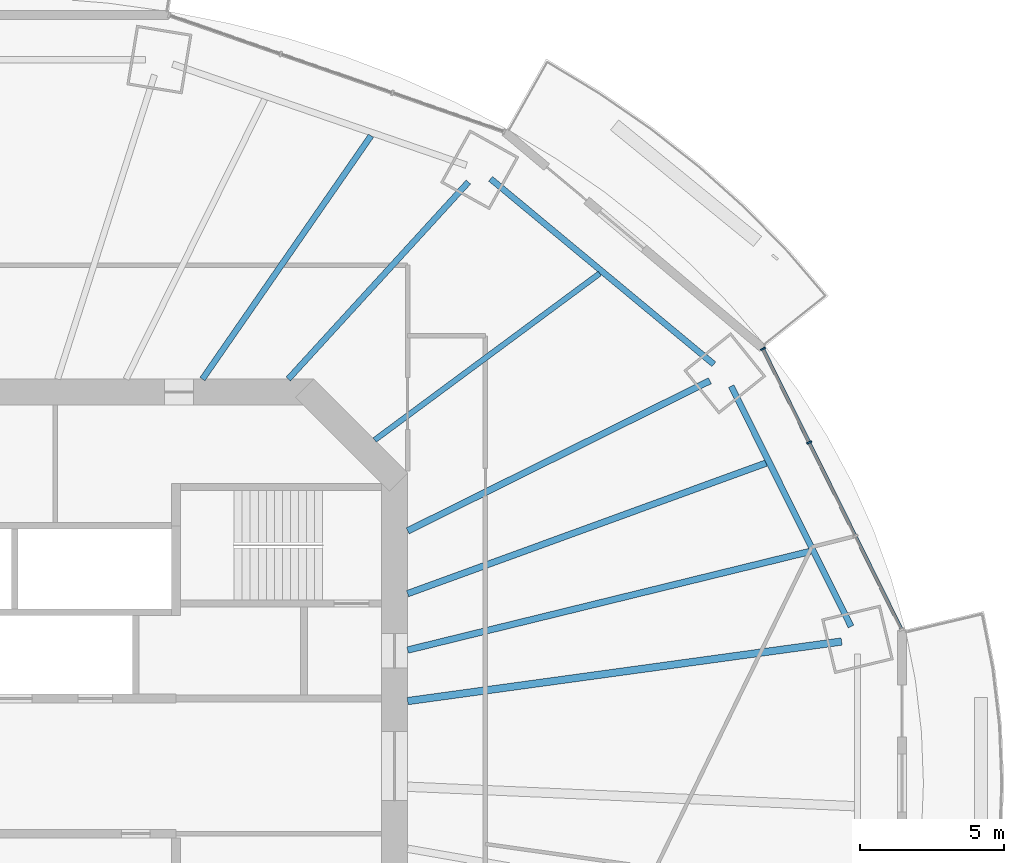
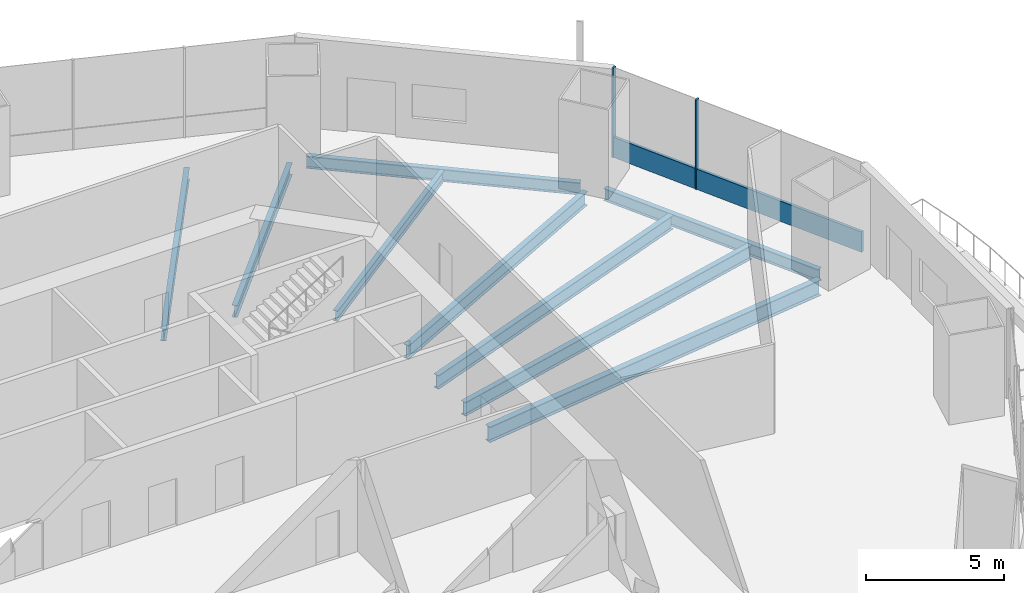
# One storey, part 7 of 20: 9 beams, 3 members, 1 element without a shape of its own.
"""IFC4 building model written with IfcOpenShell, lengths in metres."""

from ifc_helpers import new_model, si_unit, direction, frame, origin, origin_2d, place, context, subcontext, project, spatial, rectangle, i_section, extrude, material, material_profile, profile_set, type_object, element, aggregate, save


model = new_model("IFC4")

# Units and contexts
model_context = context("Model", 3, precision=1e-05, world=origin(), true_north=direction((0.0, 1.0)))
body_context = subcontext(model_context, "Body", "Model", "MODEL_VIEW")
ifc_project = project(units=[si_unit("LENGTHUNIT", "METRE"), si_unit("AREAUNIT", "SQUARE_METRE"), si_unit("VOLUMEUNIT", "CUBIC_METRE"), si_unit("PLANEANGLEUNIT", "RADIAN"), si_unit("MASSUNIT", "GRAM", prefix="KILO")], contexts=[model_context])

# Site, building, storey
site_placement = place(None, origin())
site = spatial("IfcSite", under=ifc_project, at=site_placement, CompositionType="ELEMENT")
building_placement = place(site_placement, origin())
building = spatial("IfcBuilding", under=site, at=building_placement, Name="Marenthal Gate Tower", CompositionType="ELEMENT")
storey_placement = place(building_placement, frame((0.0, 0.0, 173.5)))
storey = spatial("IfcBuildingStorey", under=building, at=storey_placement, Name="L37", CompositionType="ELEMENT", Elevation=173.5)

# Curtain wall, members
ifc_material_1 = material(Name="Aluminium and glass", Category="aluminium")
curtain_wall_type = type_object("IfcCurtainWallType", Name="Curtain wall typical mid", PredefinedType="NOTDEFINED", material=ifc_material_1)
curtain_wall_placement = place(storey_placement, origin())
curtain_wall = element("IfcCurtainWall", 1, at=curtain_wall_placement, inside=storey, type_object=curtain_wall_type, Name="Curtain wall L37 bay 1", PredefinedType="NOTDEFINED")
ifc_material_2 = material(Name="Aluminium", Category="aluminium")
ifc_material_profile_1 = material_profile(ifc_material_2, rectangle(XDim=0.179931640625, YDim=0.06005859375, at=origin_2d()), Name="60x180 aluminium mullion")
ifc_profile_set_1 = profile_set([ifc_material_profile_1], Name="Aluminium")
member_type_1 = type_object("IfcMemberType", Name="Mullion 60x180 typical mid", PredefinedType="MULLION", material=ifc_profile_set_1)
member_1_placement = place(storey_placement, frame((30.406982421875, 11.24560546875, 0.0), z_axis=(0.0, 0.0, 1.0), x_axis=(-0.89664343149, -0.442753381428, 0.0)))
member_1 = element("IfcMember", 2, at=member_1_placement, type_object=member_type_1, Name="Mullion L37 bay 1.3", PredefinedType="MULLION", context=body_context, shape_type="SweptSolid", body=[
    extrude(rectangle(XDim=0.179931640625, YDim=0.06005859375, at=origin_2d()), origin(), (0.0, 0.0, 1.0), 3.969970703125),
])
member_2_placement = place(storey_placement, frame((28.80029296875, 14.4990234375, 0.0), z_axis=(0.0, 0.0, 1.0), x_axis=(-0.89664343149, -0.442753381428, 0.0)))
member_2 = element("IfcMember", 3, at=member_2_placement, type_object=member_type_1, Name="Mullion L37 bay 1.4", PredefinedType="MULLION", context=body_context, shape_type="SweptSolid", body=[
    extrude(rectangle(XDim=0.179931640625, YDim=0.06005859375, at=origin_2d()), origin(), (0.0, 0.0, 1.0), 3.969970703125),
])
ifc_material_3 = material(Name="Aluminium", Category="aluminium")
ifc_material_profile_2 = material_profile(ifc_material_3, rectangle(XDim=0.1201171875, YDim=0.89990234375, at=origin_2d()), Name="120x900 aluminium transom")
ifc_profile_set_2 = profile_set([ifc_material_profile_2], Name="Aluminium")
member_type_2 = type_object("IfcMemberType", Name="Transom 120x900 typical mid", PredefinedType="USERDEFINED", material=ifc_profile_set_2)
member_3_placement = place(storey_placement, frame((33.606689453125, 4.765380859375, 0.449951171875), z_axis=(-0.442760838876, 0.896639749039, 0.0), x_axis=(-0.896639749039, -0.442760838876, 0.0)))
member_3 = element("IfcMember", 4, at=member_3_placement, type_object=member_type_2, Name="Transom L37 bay 1", ObjectType="TRANSOM", PredefinedType="USERDEFINED", context=body_context, shape_type="SweptSolid", body=[
    extrude(rectangle(XDim=0.1201171875, YDim=0.89990234375, at=origin_2d()), origin(), (0.0, 0.0, 1.0), 10.82568359375),
])
aggregate(curtain_wall, [member_1, member_2, member_3])

# Beams
ifc_material_4 = material(Name="Steel S355", Category="steel")
ifc_material_profile_3 = material_profile(ifc_material_4, i_section(OverallWidth=0.193115234375, OverallDepth=0.467041015625, WebThickness=0.011474609375, FlangeThickness=0.01904296875, FilletRadius=0.010009765625, at=origin_2d()), Name="W460X97")
ifc_profile_set_3 = profile_set([ifc_material_profile_3], Name="Steel S355")
beam_type_1 = type_object("IfcBeamType", Name="W460X97 beam", PredefinedType="BEAM", material=ifc_profile_set_3)
beam_1_placement = place(storey_placement, frame((23.126220703125, 17.12109375, -0.41357421875), z_axis=(-0.803711835648, -0.595018726797, 0.0), x_axis=(0.595018726797, -0.803711835648, 0.0)))
element("IfcBeam", 5, at=beam_1_placement, inside=storey, type_object=beam_type_1, Name="BM-L37-19", PredefinedType="BEAM", context=body_context, shape_type="SweptSolid", body=[
    extrude(i_section(OverallWidth=0.193115234375, OverallDepth=0.467041015625, WebThickness=0.011474609375, FlangeThickness=0.01904296875, FilletRadius=0.010009765625, at=origin_2d()), origin(), (0.0, 0.0, 1.0), 9.73095703125),
])
ifc_material_5 = material(Name="Steel S355", Category="steel")
ifc_material_profile_4 = material_profile(ifc_material_5, i_section(OverallWidth=0.2099609375, OverallDepth=0.535888671875, WebThickness=0.010986328125, FlangeThickness=0.017333984375, FilletRadius=0.0126953125, at=origin_2d()), Name="W530X101")
ifc_profile_set_4 = profile_set([ifc_material_profile_4], Name="Steel S355")
beam_type_2 = type_object("IfcBeamType", Name="W530X101 beam", PredefinedType="BEAM", material=ifc_profile_set_4)
beam_2_placement = place(storey_placement, frame((18.563232421875, 20.29638671875, -0.447998046875), z_axis=(-0.67489367982, -0.737914982189, 0.0), x_axis=(0.737914982189, -0.67489367982, 0.0)))
element("IfcBeam", 6, at=beam_2_placement, inside=storey, type_object=beam_type_2, Name="BM-L37-03", PredefinedType="BEAM", context=body_context, shape_type="SweptSolid", body=[
    extrude(i_section(OverallWidth=0.2099609375, OverallDepth=0.535888671875, WebThickness=0.010986328125, FlangeThickness=0.017333984375, FilletRadius=0.0126953125, at=origin_2d()), origin(), (0.0, 0.0, 1.0), 9.278076171875),
])
beam_3_placement = place(storey_placement, frame((15.176513671875, 21.902587890625, -0.447998046875), z_axis=(-0.569545723552, -0.821959651555, 0.0), x_axis=(0.821959651555, -0.569545723552, 0.0)))
element("IfcBeam", 7, at=beam_3_placement, inside=storey, type_object=beam_type_2, Name="BM-L37-20", PredefinedType="BEAM", context=body_context, shape_type="SweptSolid", body=[
    extrude(i_section(OverallWidth=0.2099609375, OverallDepth=0.535888671875, WebThickness=0.010986328125, FlangeThickness=0.017333984375, FilletRadius=0.0126953125, at=origin_2d()), origin(), (0.0, 0.0, 1.0), 10.283447265625),
])
ifc_material_6 = material(Name="Steel S355", Category="steel")
ifc_material_profile_5 = material_profile(ifc_material_6, i_section(OverallWidth=0.2119140625, OverallDepth=0.5439453125, WebThickness=0.01318359375, FlangeThickness=0.021240234375, FilletRadius=0.0126953125, at=origin_2d()), Name="W530X123")
ifc_profile_set_5 = profile_set([ifc_material_profile_5], Name="Steel S355")
beam_type_3 = type_object("IfcBeamType", Name="W530X123 beam", PredefinedType="BEAM", material=ifc_profile_set_5)
beam_4_placement = place(storey_placement, frame((31.860107421875, 4.851318359375, -0.451904296875), z_axis=(-0.446271515311, 0.894897611251, 0.0), x_axis=(-0.894897611251, -0.446271515311, 0.0)))
element("IfcBeam", 8, at=beam_4_placement, inside=storey, type_object=beam_type_3, Name="BM-L37-41", PredefinedType="BEAM", context=body_context, shape_type="SweptSolid", body=[
    extrude(i_section(OverallWidth=0.2119140625, OverallDepth=0.5439453125, WebThickness=0.01318359375, FlangeThickness=0.021240234375, FilletRadius=0.0126953125, at=origin_2d()), origin(), (0.0, 0.0, 1.0), 9.331787109375),
])
beam_5_placement = place(storey_placement, frame((27.092529296875, 13.96435546875, -0.451904296875), z_axis=(-0.769253878799, 0.638943244704, 0.0), x_axis=(-0.638943244704, -0.769253878799, 0.0)))
element("IfcBeam", 9, at=beam_5_placement, inside=storey, type_object=beam_type_3, Name="BM-L37-42", PredefinedType="BEAM", context=body_context, shape_type="SweptSolid", body=[
    extrude(i_section(OverallWidth=0.2119140625, OverallDepth=0.5439453125, WebThickness=0.01318359375, FlangeThickness=0.021240234375, FilletRadius=0.0126953125, at=origin_2d()), origin(), (0.0, 0.0, 1.0), 10.087158203125),
])
ifc_material_7 = material(Name="Steel S355", Category="steel")
ifc_material_profile_6 = material_profile(ifc_material_7, i_section(OverallWidth=0.22900390625, OverallDepth=0.612060546875, WebThickness=0.011962890625, FlangeThickness=0.01953125, FilletRadius=0.0126953125, at=origin_2d()), Name="W610X125")
ifc_profile_set_6 = profile_set([ifc_material_profile_6], Name="Steel S355")
beam_type_4 = type_object("IfcBeamType", Name="W610X125 beam", PredefinedType="BEAM", material=ifc_profile_set_6)
beam_6_placement = place(storey_placement, frame((26.958251953125, 13.392333984375, -0.486083984375), z_axis=(-0.895581075505, -0.44489834479, 0.0), x_axis=(0.44489834479, -0.895581075505, 0.0)))
element("IfcBeam", 10, at=beam_6_placement, inside=storey, type_object=beam_type_4, Name="BM-L37-02", PredefinedType="BEAM", context=body_context, shape_type="SweptSolid", body=[
    extrude(i_section(OverallWidth=0.22900390625, OverallDepth=0.612060546875, WebThickness=0.011962890625, FlangeThickness=0.01953125, FilletRadius=0.0126953125, at=origin_2d()), origin(), (0.0, 0.0, 1.0), 11.7333984375),
])
beam_7_placement = place(storey_placement, frame((30.44140625, 7.458984375, -0.486083984375), z_axis=(-0.971269335827, -0.237982934856, 0.0), x_axis=(0.237982934856, -0.971269335827, 0.0)))
element("IfcBeam", 11, at=beam_7_placement, inside=storey, type_object=beam_type_4, Name="BM-L37-17", PredefinedType="BEAM", context=body_context, shape_type="SweptSolid", body=[
    extrude(i_section(OverallWidth=0.22900390625, OverallDepth=0.612060546875, WebThickness=0.011962890625, FlangeThickness=0.01953125, FilletRadius=0.0126953125, at=origin_2d()), origin(), (0.0, 0.0, 1.0), 14.4052734375),
])
beam_8_placement = place(storey_placement, frame((28.909912109375, 10.530029296875, -0.486083984375), z_axis=(-0.93961321665, -0.342238225651, 0.0), x_axis=(0.342238225651, -0.93961321665, 0.0)))
element("IfcBeam", 12, at=beam_8_placement, inside=storey, type_object=beam_type_4, Name="BM-L37-18", PredefinedType="BEAM", context=body_context, shape_type="SweptSolid", body=[
    extrude(i_section(OverallWidth=0.22900390625, OverallDepth=0.612060546875, WebThickness=0.011962890625, FlangeThickness=0.01953125, FilletRadius=0.0126953125, at=origin_2d()), origin(), (0.0, 0.0, 1.0), 13.2607421875),
])
ifc_material_8 = material(Name="Steel S355", Category="steel")
ifc_material_profile_7 = material_profile(ifc_material_8, i_section(OverallWidth=0.257080078125, OverallDepth=0.693115234375, WebThickness=0.014404296875, FlangeThickness=0.023681640625, FilletRadius=0.015380859375, at=origin_2d()), Name="W690X170")
ifc_profile_set_7 = profile_set([ifc_material_profile_7], Name="Steel S355")
beam_type_5 = type_object("IfcBeamType", Name="W690X170 beam", PredefinedType="BEAM", material=ifc_profile_set_7)
beam_9_placement = place(storey_placement, frame((31.53369140625, 4.327880859375, -0.526611328125), z_axis=(-0.99071378207, -0.135963973232, 0.0), x_axis=(0.135963973232, -0.99071378207, 0.0)))
element("IfcBeam", 13, at=beam_9_placement, inside=storey, type_object=beam_type_5, Name="BM-L37-01", PredefinedType="BEAM", context=body_context, shape_type="SweptSolid", body=[
    extrude(i_section(OverallWidth=0.257080078125, OverallDepth=0.693115234375, WebThickness=0.014404296875, FlangeThickness=0.023681640625, FilletRadius=0.015380859375, at=origin_2d()), origin(), (0.0, 0.0, 1.0), 15.22509765625),
])

save(model, "model.ifc")
